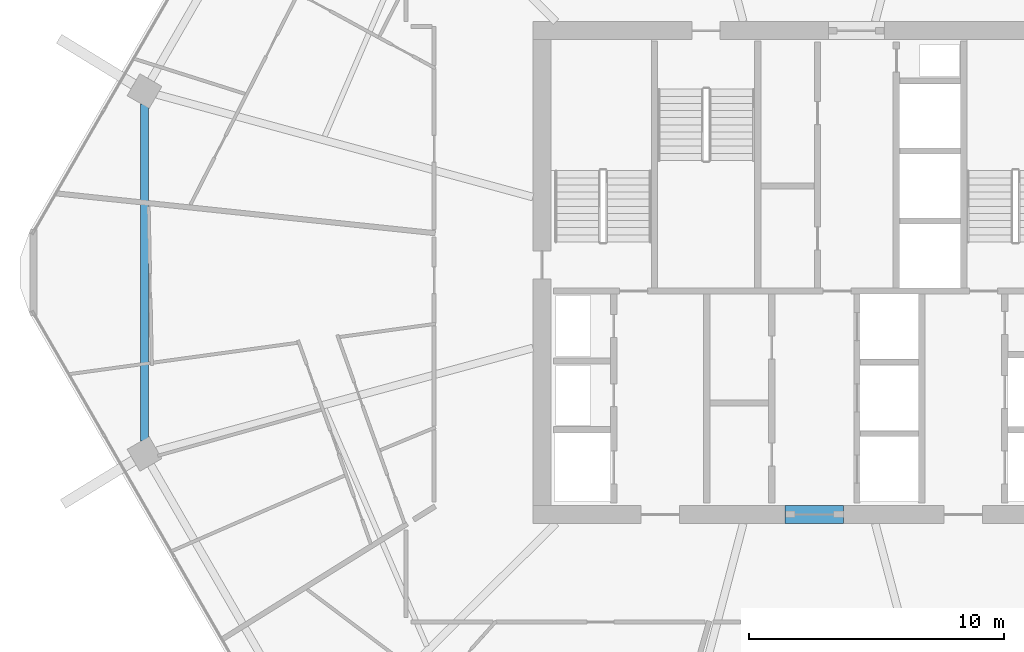
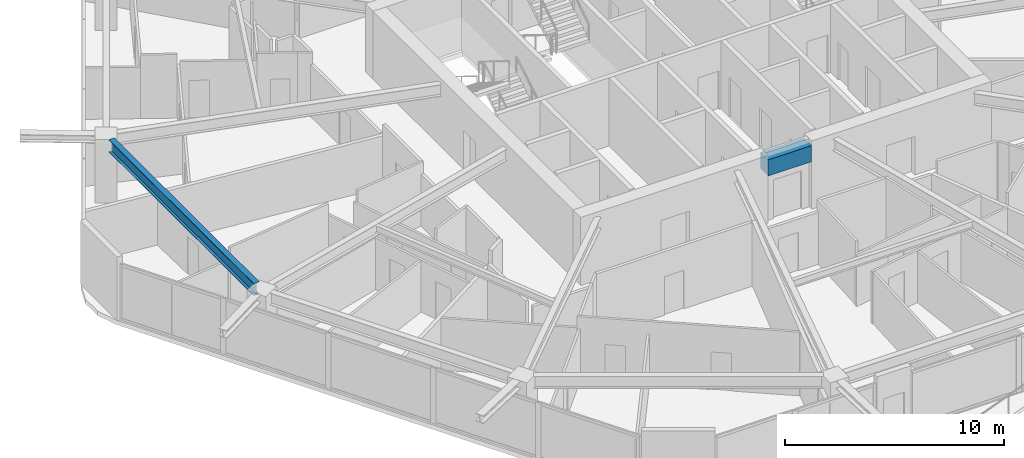
# One storey, part 6 of 25: 2 beams.
"""IFC4 building model written with IfcOpenShell, lengths in metres."""

import ifcopenshell
import ifcopenshell.guid

model = None  # the IFC model being written
_history = None  # IfcOwnerHistory: only IFC2X3 demands one
_inside = {}  # id of a spatial element -> (the spatial element, [elements in it])
_under = {}  # id of a project, library or spatial element -> (it, [spatial elements below it])
_declared = {}  # id of a project -> (the project, [libraries it declares])
_typed = {}  # id of a type object -> (the type object, [elements of that type])
_made_of = {}  # id of a material, layer set ... -> (it, [elements and type objects made of it])


def new_model(schema):
    """Start an empty IFC model of exactly this schema.

    Asked for "IFC4X3", IfcOpenShell would pick the latest addendum, in which some entities
    have other attributes; the version numbers below select the first issue.
    IFC2X3 requires an IfcOwnerHistory on every rooted entity: one is made here for all.
    """
    global model, _history
    if schema == "IFC4X3":
        model = ifcopenshell.file(schema_version=(4, 3, 0, 0))
    else:
        model = ifcopenshell.file(schema=schema)
    _inside.clear()
    _under.clear()
    _declared.clear()
    _typed.clear()
    _made_of.clear()
    _history = None
    if model.schema == "IFC2X3":
        org = make("IfcOrganization", Name="unknown")
        user = make(
            "IfcPersonAndOrganization",
            ThePerson=make("IfcPerson", FamilyName="unknown"),
            TheOrganization=org,
        )
        app = make(
            "IfcApplication",
            ApplicationDeveloper=org,
            Version="unknown",
            ApplicationFullName="unknown",
            ApplicationIdentifier="unknown",
        )
        _history = make(
            "IfcOwnerHistory",
            OwningUser=user,
            OwningApplication=app,
            ChangeAction="ADDED",
            CreationDate=0,
        )
    return model


def make(cls, **values):
    """One entity of the class cls with the attributes given. An attribute that is None is left unset."""
    return model.create_entity(
        cls, **{name: value for name, value in values.items() if value is not None}
    )


def rooted(cls, **values):
    """An entity with a GlobalId (a new one), such as an element, a storey or a relation."""
    return make(cls, GlobalId=ifcopenshell.guid.new(), OwnerHistory=_history, **values)


def si_unit(unit_type, name, prefix=None):
    """IfcSIUnit, for example si_unit("LENGTHUNIT", "METRE", prefix="MILLI")."""
    return make("IfcSIUnit", UnitType=unit_type, Prefix=prefix, Name=name)


def assignment(units):
    """IfcUnitAssignment: the units of a project."""
    return None if units is None else make("IfcUnitAssignment", Units=units)


def point(xyz):
    """IfcCartesianPoint."""
    return None if xyz is None else make("IfcCartesianPoint", Coordinates=xyz)


def direction(xyz):
    """IfcDirection."""
    return None if xyz is None else make("IfcDirection", DirectionRatios=xyz)


def frame(location, z_axis=None, x_axis=None):
    """IfcAxis2Placement3D, a coordinate frame: its origin and axes. An axis left out is left unset."""
    return make(
        "IfcAxis2Placement3D",
        Location=point(location),
        Axis=direction(z_axis),
        RefDirection=direction(x_axis),
    )


def frame_2d(location, x_axis=None):
    """IfcAxis2Placement2D, a coordinate frame in the plane: its origin and x axis."""
    return make(
        "IfcAxis2Placement2D", Location=point(location), RefDirection=direction(x_axis)
    )


def origin():
    """The frame at (0, 0, 0) with its axes left unset."""
    return frame((0.0, 0.0, 0.0))


def origin_2d():
    """The frame at (0, 0) in the plane with its x axis left unset."""
    return frame_2d((0.0, 0.0))


def place(relative_to, where):
    """IfcLocalPlacement: puts the frame where relative to a parent placement (None: the world)."""
    return make(
        "IfcLocalPlacement", PlacementRelTo=relative_to, RelativePlacement=where
    )


def context(
    kind, dimensions, precision=None, world=None, true_north=None, identifier=None
):
    """IfcGeometricRepresentationContext, for example the 3D "Model" context."""
    return make(
        "IfcGeometricRepresentationContext",
        ContextIdentifier=identifier,
        ContextType=kind,
        CoordinateSpaceDimension=dimensions,
        Precision=precision,
        WorldCoordinateSystem=world,
        TrueNorth=true_north,
    )


def subcontext(parent, identifier, kind, view, scale=None):
    """IfcGeometricRepresentationSubContext, for example "Body" below "Model"."""
    return make(
        "IfcGeometricRepresentationSubContext",
        ContextIdentifier=identifier,
        ContextType=kind,
        ParentContext=parent,
        TargetScale=scale,
        TargetView=view,
    )


def project(units=None, contexts=None):
    """IfcProject with its units and contexts."""
    return rooted(
        "IfcProject",
        Name="project",
        RepresentationContexts=contexts,
        UnitsInContext=assignment(units),
    )


def spatial(cls, under=None, at=None, **own):
    """A site, building, storey or space (cls), placed at a placement, below another one or the project."""
    s = rooted(cls, ObjectPlacement=at, **own)
    if under is not None:
        _under.setdefault(under.id(), (under, []))[1].append(s)
    return s


def profile(cls, at=None, kind="AREA", **sizes):
    """A parametric profile (cls). Its sizes go by their IFC names, for example OverallWidth=200.0."""
    return make(cls, ProfileType=kind, Position=at, **sizes)


def rectangle(**sizes):
    """IfcRectangleProfileDef."""
    return profile("IfcRectangleProfileDef", **sizes)


def i_section(**sizes):
    """IfcIShapeProfileDef."""
    return profile("IfcIShapeProfileDef", **sizes)


def extrude(swept, where, along, depth):
    """IfcExtrudedAreaSolid: the profile swept, set in the frame where, extruded along a direction by depth."""
    return make(
        "IfcExtrudedAreaSolid",
        SweptArea=swept,
        Position=where,
        ExtrudedDirection=direction(along),
        Depth=depth,
    )


def shape(context_of_items, identifier, shape_type, items):
    """IfcShapeRepresentation: the items that make up one representation, for example the "Body"."""
    return make(
        "IfcShapeRepresentation",
        ContextOfItems=context_of_items,
        RepresentationIdentifier=identifier,
        RepresentationType=shape_type,
        Items=items,
    )


def material(Name=None, Category=None):
    """IfcMaterial."""
    return make("IfcMaterial", Name=Name, Category=Category)


def material_profile(
    of_material, cross_section, Name=None, Category=None, Priority=None
):
    """IfcMaterialProfile: a cross section and its material."""
    return make(
        "IfcMaterialProfile",
        Name=Name,
        Material=of_material,
        Profile=cross_section,
        Priority=Priority,
        Category=Category,
    )


def profile_set(profiles, Name=None, composite=None):
    """IfcMaterialProfileSet."""
    return make(
        "IfcMaterialProfileSet",
        Name=Name,
        MaterialProfiles=profiles,
        CompositeProfile=composite,
    )


def made_of(thing, what):
    """Note that an element or type object is made of a material, layer set ...; save() writes the relation."""
    if what is not None:
        _made_of.setdefault(what.id(), (what, []))[1].append(thing)
    return thing


def type_object(cls, material=None, **own):
    """A type object (cls), such as IfcWallType, which elements share."""
    return made_of(rooted(cls, **own), material)


def element(
    cls,
    number,
    at=None,
    inside=None,
    cuts=None,
    type_object=None,
    material=None,
    context=None,
    identifier="Body",
    shape_type=None,
    held_by="IfcProductDefinitionShape",
    body=None,
    shapes=None,
    **own,
):
    """One element of the class cls, such as IfcWall. Its Tag is "e" and its number.

    at: its placement. inside: the storey or other place that contains it. cuts: it is an
    opening in that element (IfcRelVoidsElement). A single representation is given by context,
    identifier, shape_type and body (its items); several are given by shapes. held_by: the class
    of the entity that holds the representations. save() writes the other relations.
    """
    e = rooted(cls, Tag="e%d" % number, ObjectPlacement=at, **own)
    if body is not None:
        shapes = [shape(context, identifier, shape_type, body)]
    if shapes is not None:
        e.Representation = make(held_by, Representations=shapes)
    if inside is not None:
        _inside.setdefault(inside.id(), (inside, []))[1].append(e)
    if cuts is not None:
        rooted(
            "IfcRelVoidsElement", RelatingBuildingElement=cuts, RelatedOpeningElement=e
        )
    if type_object is not None:
        _typed.setdefault(type_object.id(), (type_object, []))[1].append(e)
    return made_of(e, material)


def aggregate(whole, parts):
    """IfcRelAggregates: a whole, such as a stair, and the parts it consists of."""
    return rooted("IfcRelAggregates", RelatingObject=whole, RelatedObjects=parts)


def save(model, path):
    """Write the relations noted so far, then the file.

    IfcRelAggregates (storeys below a building ...), IfcRelContainedInSpatialStructure (elements
    in a storey), IfcRelDefinesByType, IfcRelAssociatesMaterial and IfcRelDeclares: one each for
    every whole, place, type object, material and project.
    """
    for whole, parts in _under.values():
        aggregate(whole, parts)
    for where, things in _inside.values():
        rooted(
            "IfcRelContainedInSpatialStructure",
            RelatedElements=things,
            RelatingStructure=where,
        )
    for kind, things in _typed.values():
        rooted("IfcRelDefinesByType", RelatedObjects=things, RelatingType=kind)
    for what, things in _made_of.values():
        rooted("IfcRelAssociatesMaterial", RelatedObjects=things, RelatingMaterial=what)
    for by, libraries in _declared.values():
        rooted("IfcRelDeclares", RelatingContext=by, RelatedDefinitions=libraries)
    model.write(path)


model = new_model("IFC4")

# Units and contexts
model_context = context("Model", 3, precision=1e-05, world=origin(), true_north=direction((0.0, 1.0)))
body_context = subcontext(model_context, "Body", "Model", "MODEL_VIEW")
ifc_project = project(units=[si_unit("LENGTHUNIT", "METRE"), si_unit("AREAUNIT", "SQUARE_METRE"), si_unit("VOLUMEUNIT", "CUBIC_METRE"), si_unit("PLANEANGLEUNIT", "RADIAN"), si_unit("MASSUNIT", "GRAM", prefix="KILO")], contexts=[model_context])

# Site, building, storey
site_placement = place(None, origin())
site = spatial("IfcSite", under=ifc_project, at=site_placement, CompositionType="ELEMENT")
building_placement = place(site_placement, origin())
building = spatial("IfcBuilding", under=site, at=building_placement, Name="Zuhravey Tower", CompositionType="ELEMENT")
storey_placement = place(building_placement, frame((0.0, 0.0, 150.39990234375)))
storey = spatial("IfcBuildingStorey", under=building, at=storey_placement, Name="L37", CompositionType="ELEMENT", Elevation=150.39990234375)

# Beams
ifc_material_1 = material(Name="Concrete C60/75", Category="concrete")
ifc_material_profile_1 = material_profile(ifc_material_1, rectangle(XDim=0.699951171875, YDim=0.89990234375, at=origin_2d()), Name="RC-700x900")
ifc_profile_set_1 = profile_set([ifc_material_profile_1], Name="Concrete C60/75")
beam_type_1 = type_object("IfcBeamType", Name="Core Coupling Beam RC700x900", PredefinedType="LINTEL", material=ifc_profile_set_1)
beam_1_placement = place(storey_placement, frame((35.052001953125, 22.5, 3.10009765625), z_axis=(1.0, 0.0, 0.0), x_axis=(0.0, 1.0, 0.0)))
element("IfcBeam", 1, at=beam_1_placement, inside=storey, type_object=beam_type_1, Name="L37 CB1 BM-L37-CB-S", PredefinedType="LINTEL", context=body_context, shape_type="SweptSolid", body=[
    extrude(rectangle(XDim=0.699951171875, YDim=0.89990234375, at=origin_2d()), origin(), (0.0, 0.0, 1.0), 2.2958984375),
])
ifc_material_2 = material(Name="Steel SM355", Category="steel")
ifc_material_profile_2 = material_profile(ifc_material_2, i_section(OverallWidth=0.300048828125, OverallDepth=0.679931640625, WebThickness=0.012939453125, FlangeThickness=0.02197265625, at=origin_2d()), Name="H-680x300x13x22")
ifc_profile_set_2 = profile_set([ifc_material_profile_2], Name="Steel SM355")
beam_type_2 = type_object("IfcBeamType", Name="Perimeter Ring Beam H680x300", PredefinedType="BEAM", material=ifc_profile_set_2)
beam_2_placement = place(storey_placement, frame((9.892333984375, 38.62353515625, 3.210205078125), z_axis=(0.0, -1.0, 0.0), x_axis=(1.0, 0.0, 0.0)))
element("IfcBeam", 2, at=beam_2_placement, inside=storey, type_object=beam_type_2, Name="L37 PB2 BM-L37-PB-06", PredefinedType="BEAM", context=body_context, shape_type="SweptSolid", body=[
    extrude(i_section(OverallWidth=0.300048828125, OverallDepth=0.679931640625, WebThickness=0.012939453125, FlangeThickness=0.02197265625, at=origin_2d()), origin(), (0.0, 0.0, 1.0), 13.2470703125),
])

save(model, "model.ifc")
